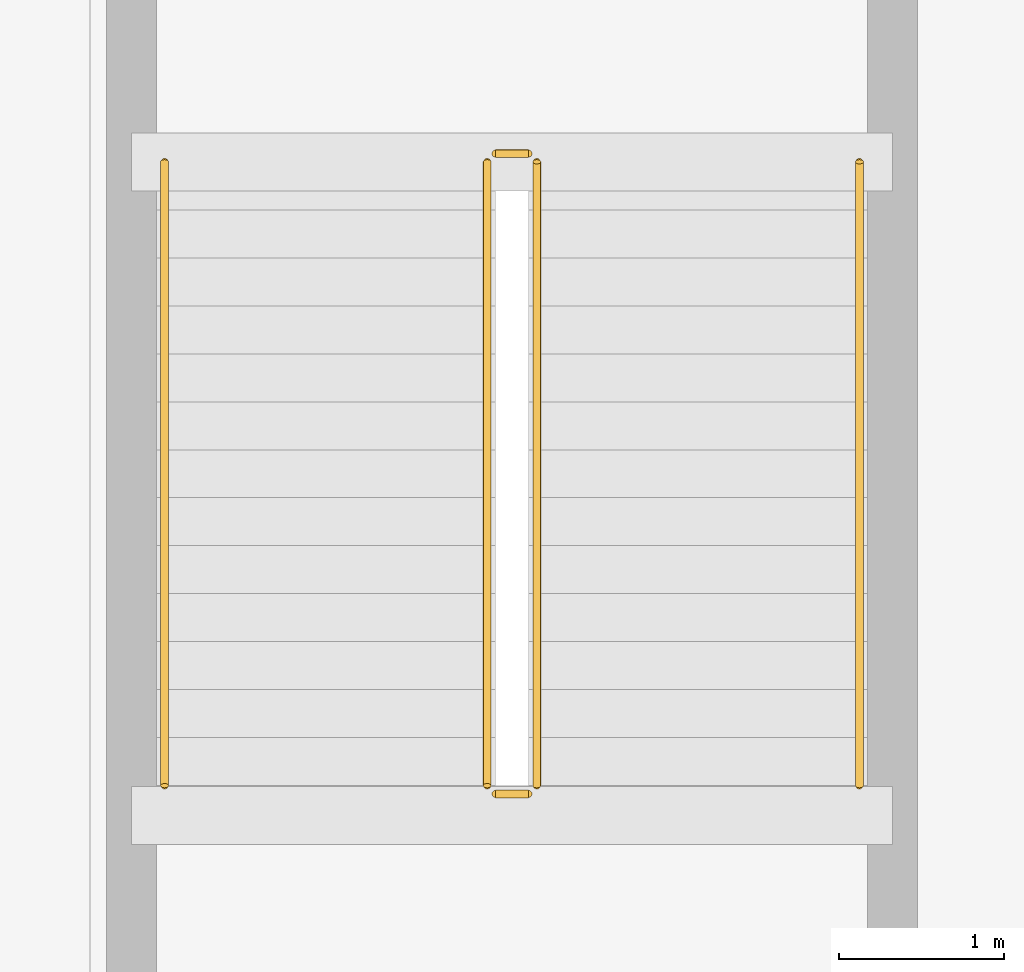
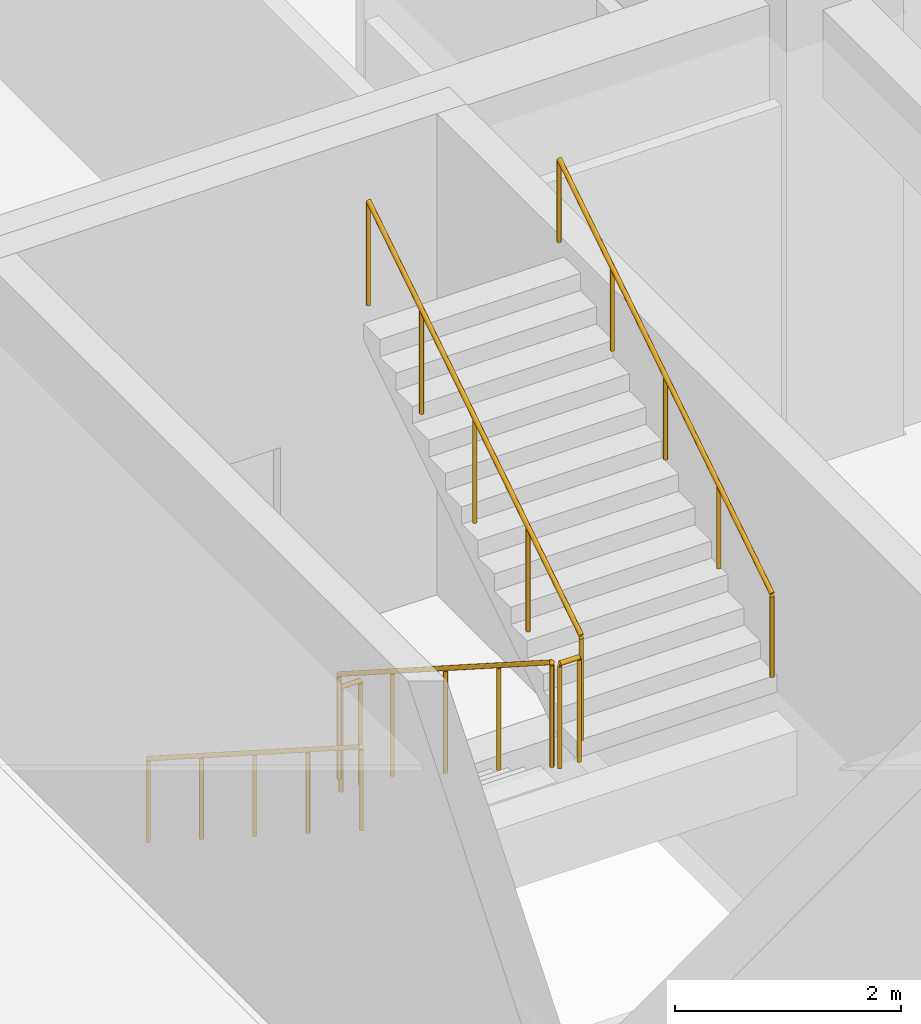
# One storey, part 14 of 16: 6 railings.
"""IFC4 building model written with IfcOpenShell, lengths in metres."""

from ifc_helpers import new_model, si_unit, direction, frame, origin, origin_2d, place, context, subcontext, project, spatial, circle, extrude, material, type_object, element, save


model = new_model("IFC4")

# Units and contexts
model_context = context("Model", 3, precision=1e-05, world=origin(), true_north=direction((0.0, 1.0)))
body_context = subcontext(model_context, "Body", "Model", "MODEL_VIEW")
ifc_project = project(units=[si_unit("LENGTHUNIT", "METRE"), si_unit("AREAUNIT", "SQUARE_METRE"), si_unit("VOLUMEUNIT", "CUBIC_METRE"), si_unit("PLANEANGLEUNIT", "RADIAN"), si_unit("MASSUNIT", "GRAM", prefix="KILO")], contexts=[model_context])

# Site, building, storey
site_placement = place(None, origin())
site = spatial("IfcSite", under=ifc_project, at=site_placement, CompositionType="ELEMENT")
building_placement = place(site_placement, origin())
building = spatial("IfcBuilding", under=site, at=building_placement, Name="Calvemar Wedge Station Tower", CompositionType="ELEMENT")
storey_placement = place(building_placement, frame((0.0, 0.0, 6.0)))
storey = spatial("IfcBuildingStorey", under=building, at=storey_placement, Name="L02", CompositionType="ELEMENT", Elevation=6.0)

# Railings
ifc_material_1 = material(Name="Stainless steel AISI 316L", Category="steel")
railing_type_1 = type_object("IfcRailingType", Name="RL-HANDRAIL-920", PredefinedType="HANDRAIL", material=ifc_material_1)
railing_1_placement = place(storey_placement, frame((39.550048828125, 12.10009765625, 0.185791015625)))
element("IfcRailing", 1, at=railing_1_placement, inside=storey, type_object=railing_type_1, Name="L02 ST-P2 stair handrail 1", PredefinedType="HANDRAIL", context=body_context, shape_type="SweptSolid", body=[
    extrude(circle(Radius=0.02392578125, at=origin_2d()), frame((0.0, 0.0, 0.89599609375), z_axis=(0.0, -0.84211983486, 0.539290444692), x_axis=(1.0, 0.0, 0.0)), (0.0, 0.0, 1.0), 4.476806640625),
    extrude(circle(Radius=0.02099609375, at=origin_2d()), origin(), (0.0, 0.0, 1.0), 0.871826171875),
    extrude(circle(Radius=0.02099609375, at=origin_2d()), frame((0.0, -0.9423828125, 0.603515625)), (0.0, 0.0, 1.0), 0.871826171875),
    extrude(circle(Radius=0.02099609375, at=origin_2d()), frame((0.0, -1.885009765625, 1.20703125)), (0.0, 0.0, 1.0), 0.871826171875),
    extrude(circle(Radius=0.02099609375, at=origin_2d()), frame((0.0, -2.82763671875, 1.810791015625)), (0.0, 0.0, 1.0), 0.871826171875),
    extrude(circle(Radius=0.02099609375, at=origin_2d()), frame((0.0, -3.77001953125, 2.414306640625)), (0.0, 0.0, 1.0), 0.871826171875),
])
railing_2_placement = place(storey_placement, frame((43.75, 8.330078125, 2.78564453125)))
element("IfcRailing", 2, at=railing_2_placement, inside=storey, type_object=railing_type_1, Name="L02 ST-P2 stair handrail 2", PredefinedType="HANDRAIL", context=body_context, shape_type="SweptSolid", body=[
    extrude(circle(Radius=0.02392578125, at=origin_2d()), frame((0.0, 0.0, 0.89599609375), z_axis=(0.0, 0.84211983486, 0.539290444692), x_axis=(-1.0, 0.0, 0.0)), (0.0, 0.0, 1.0), 4.476806640625),
    extrude(circle(Radius=0.02099609375, at=origin_2d()), origin(), (0.0, 0.0, 1.0), 0.871826171875),
    extrude(circle(Radius=0.02099609375, at=origin_2d()), frame((0.0, 0.9423828125, 0.603515625)), (0.0, 0.0, 1.0), 0.871826171875),
    extrude(circle(Radius=0.02099609375, at=origin_2d()), frame((0.0, 1.885009765625, 1.20703125)), (0.0, 0.0, 1.0), 0.871826171875),
    extrude(circle(Radius=0.02099609375, at=origin_2d()), frame((0.0, 2.82763671875, 1.810791015625)), (0.0, 0.0, 1.0), 0.871826171875),
    extrude(circle(Radius=0.02099609375, at=origin_2d()), frame((0.0, 3.77001953125, 2.414306640625)), (0.0, 0.0, 1.0), 0.871826171875),
])
ifc_material_2 = material(Name="Painted steel guardrail ASTM A500 Grade C", Category="steel")
railing_type_2 = type_object("IfcRailingType", Name="RL-STAIR-GUARD-1150", PredefinedType="GUARDRAIL", material=ifc_material_2)
railing_3_placement = place(storey_placement, frame((41.5, 12.10009765625, 0.185791015625)))
element("IfcRailing", 3, at=railing_3_placement, inside=storey, type_object=railing_type_2, Name="L02 ST-P2 stair guard 1", PredefinedType="GUARDRAIL", context=body_context, shape_type="SweptSolid", body=[
    extrude(circle(Radius=0.02392578125, at=origin_2d()), frame((0.0, 0.0, 1.1259765625), z_axis=(0.0, -0.84211983486, 0.539290444692), x_axis=(1.0, 0.0, 0.0)), (0.0, 0.0, 1.0), 4.476806640625),
    extrude(circle(Radius=0.02099609375, at=origin_2d()), origin(), (0.0, 0.0, 1.0), 1.101806640625),
    extrude(circle(Radius=0.02099609375, at=origin_2d()), frame((0.0, -0.9423828125, 0.603515625)), (0.0, 0.0, 1.0), 1.101806640625),
    extrude(circle(Radius=0.02099609375, at=origin_2d()), frame((0.0, -1.885009765625, 1.20703125)), (0.0, 0.0, 1.0), 1.101806640625),
    extrude(circle(Radius=0.02099609375, at=origin_2d()), frame((0.0, -2.82763671875, 1.810791015625)), (0.0, 0.0, 1.0), 1.101806640625),
    extrude(circle(Radius=0.02099609375, at=origin_2d()), frame((0.0, -3.77001953125, 2.414306640625)), (0.0, 0.0, 1.0), 1.101806640625),
])
railing_4_placement = place(storey_placement, frame((41.550048828125, 8.280029296875, 2.60009765625)))
element("IfcRailing", 4, at=railing_4_placement, inside=storey, type_object=railing_type_2, Name="L02 ST-P2 stair guard 2", PredefinedType="GUARDRAIL", context=body_context, shape_type="SweptSolid", body=[
    extrude(circle(Radius=0.02392578125, at=origin_2d()), frame((0.0, 0.0, 1.1259765625), z_axis=(1.0, 0.0, 0.0), x_axis=(0.0, 1.0, 0.0)), (0.0, 0.0, 1.0), 0.199951171875),
    extrude(circle(Radius=0.02099609375, at=origin_2d()), origin(), (0.0, 0.0, 1.0), 1.101806640625),
    extrude(circle(Radius=0.02099609375, at=origin_2d()), frame((0.199951171875, 0.0, 0.0)), (0.0, 0.0, 1.0), 1.101806640625),
])
railing_5_placement = place(storey_placement, frame((41.800048828125, 8.330078125, 2.78564453125)))
element("IfcRailing", 5, at=railing_5_placement, inside=storey, type_object=railing_type_2, Name="L02 ST-P2 stair guard 3", PredefinedType="GUARDRAIL", context=body_context, shape_type="SweptSolid", body=[
    extrude(circle(Radius=0.02392578125, at=origin_2d()), frame((0.0, 0.0, 1.1259765625), z_axis=(0.0, 0.84211983486, 0.539290444692), x_axis=(-1.0, 0.0, 0.0)), (0.0, 0.0, 1.0), 4.476806640625),
    extrude(circle(Radius=0.02099609375, at=origin_2d()), origin(), (0.0, 0.0, 1.0), 1.101806640625),
    extrude(circle(Radius=0.02099609375, at=origin_2d()), frame((0.0, 0.9423828125, 0.603515625)), (0.0, 0.0, 1.0), 1.101806640625),
    extrude(circle(Radius=0.02099609375, at=origin_2d()), frame((0.0, 1.885009765625, 1.20703125)), (0.0, 0.0, 1.0), 1.101806640625),
    extrude(circle(Radius=0.02099609375, at=origin_2d()), frame((0.0, 2.82763671875, 1.810791015625)), (0.0, 0.0, 1.0), 1.101806640625),
    extrude(circle(Radius=0.02099609375, at=origin_2d()), frame((0.0, 3.77001953125, 2.414306640625)), (0.0, 0.0, 1.0), 1.101806640625),
])
railing_6_placement = place(storey_placement, frame((41.550048828125, 12.14990234375, 0.0)))
element("IfcRailing", 6, at=railing_6_placement, inside=storey, type_object=railing_type_2, Name="L02 ST-P2 stair guard 4", PredefinedType="GUARDRAIL", context=body_context, shape_type="SweptSolid", body=[
    extrude(circle(Radius=0.02392578125, at=origin_2d()), frame((0.0, 0.0, 1.1259765625), z_axis=(1.0, 0.0, 0.0), x_axis=(0.0, 1.0, 0.0)), (0.0, 0.0, 1.0), 0.199951171875),
    extrude(circle(Radius=0.02099609375, at=origin_2d()), origin(), (0.0, 0.0, 1.0), 1.101806640625),
    extrude(circle(Radius=0.02099609375, at=origin_2d()), frame((0.199951171875, 0.0, 0.0)), (0.0, 0.0, 1.0), 1.101806640625),
])

save(model, "model.ifc")
